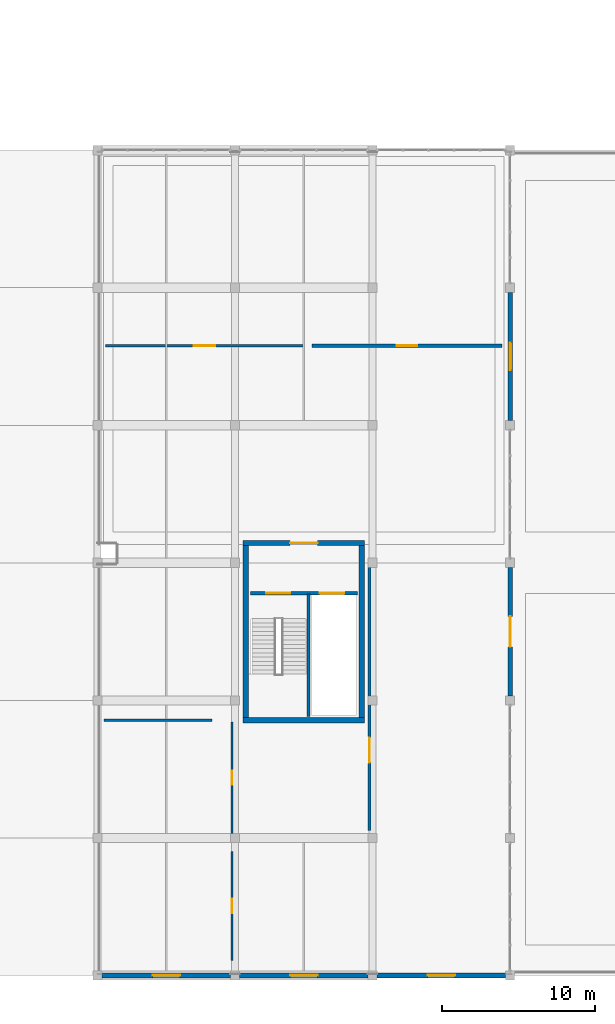
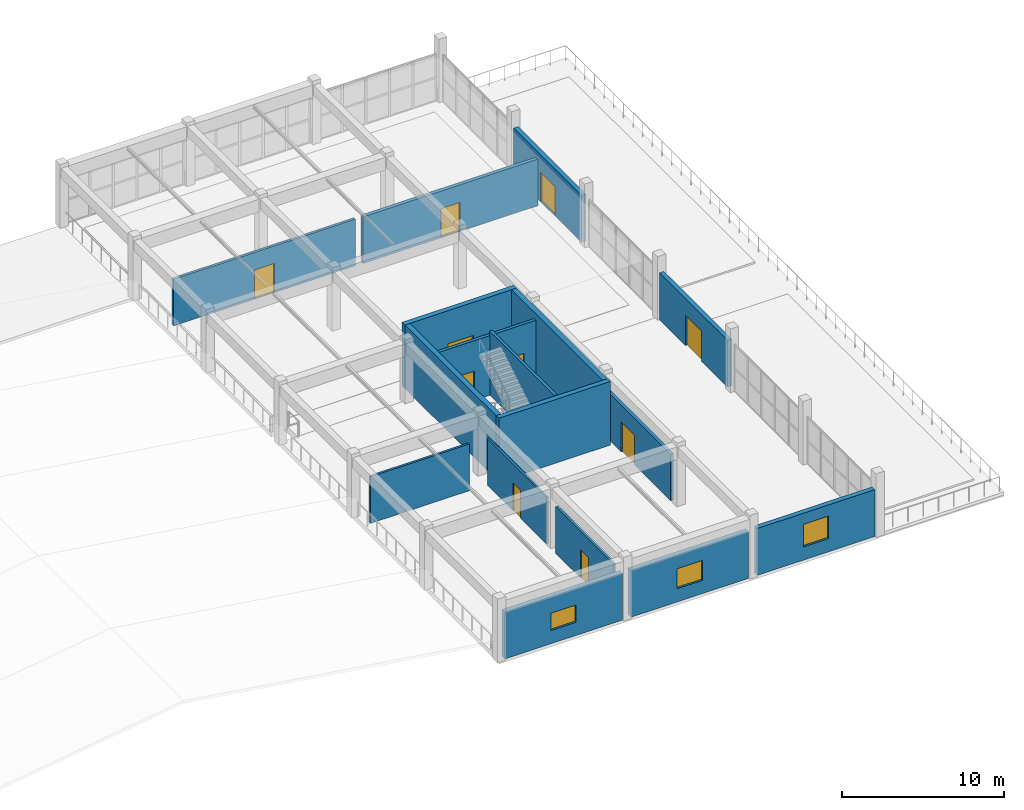
# One storey, part 64 of 89: 17 walls, 10 doors, 3 windows, 13 openings.
"""IFC4 building model written with IfcOpenShell, lengths in metres."""

from ifc_helpers import new_model, si_unit, direction, frame, frame_2d, origin, place, context, subcontext, project, spatial, rectangle, extrude, material, layer, layer_set, type_object, element, fill, save


model = new_model("IFC4")

# Units and contexts
model_context = context("Model", 3, precision=1e-05, world=origin(), true_north=direction((0.0, 1.0)))
body_context = subcontext(model_context, "Body", "Model", "MODEL_VIEW")
ifc_project = project(units=[si_unit("LENGTHUNIT", "METRE"), si_unit("AREAUNIT", "SQUARE_METRE"), si_unit("VOLUMEUNIT", "CUBIC_METRE"), si_unit("PLANEANGLEUNIT", "RADIAN"), si_unit("MASSUNIT", "GRAM", prefix="KILO")], contexts=[model_context])

# Site, building, storey
site_placement = place(None, origin())
site = spatial("IfcSite", under=ifc_project, at=site_placement, CompositionType="ELEMENT")
building_placement = place(site_placement, origin())
building = spatial("IfcBuilding", under=site, at=building_placement, Name="Dornveld Trade and Exhibition Forum", CompositionType="ELEMENT")
storey_placement = place(building_placement, frame((0.0, 0.0, 12.0)))
storey = spatial("IfcBuildingStorey", under=building, at=storey_placement, Name="L02", CompositionType="ELEMENT", Elevation=12.0)

# Wall
ifc_material_1 = material(Name="Concrete C40/50", Category="concrete")
ifc_layer_1 = layer(ifc_material_1, 0.35009765625)
ifc_layer_set_1 = layer_set([ifc_layer_1], Name="Concrete C40/50")
wall_type_1 = type_object("IfcWallType", Name="WL-CORE-350", PredefinedType="SHEAR", material=ifc_layer_set_1)
wall_1_placement = place(storey_placement, frame((207.52490234375, 16.699951171875, 0.0), z_axis=(0.0, 0.0, 1.0), x_axis=(1.0, 0.0, 0.0)))
element("IfcWall", 1, at=wall_1_placement, inside=storey, type_object=wall_type_1, Name="CORE-11 L02 shear wall S", PredefinedType="SHEAR", context=body_context, shape_type="SweptSolid", body=[
    extrude(rectangle(XDim=7.9501953125, YDim=0.35009765625, at=frame_2d((3.97509765625, 0.0))), origin(), (0.0, 0.0, 1.0), 4.800048828125),
])

# Wall, opening, door
wall_2_placement = place(storey_placement, frame((207.52490234375, 28.300048828125, 0.0), z_axis=(0.0, 0.0, 1.0), x_axis=(1.0, 0.0, 0.0)))
wall_2 = element("IfcWall", 2, at=wall_2_placement, inside=storey, type_object=wall_type_1, Name="CORE-11 L02 shear wall N", PredefinedType="SHEAR", context=body_context, shape_type="SweptSolid", body=[
    extrude(rectangle(XDim=7.9501953125, YDim=0.35009765625, at=frame_2d((3.97509765625, 0.0))), origin(), (0.0, 0.0, 1.0), 4.800048828125),
])
opening_1_placement = place(wall_2_placement, frame((3.074951171875, 0.0, 0.0)))
opening_1 = element("IfcOpeningElement", 3, at=opening_1_placement, cuts=wall_2, Name="Opening CD-11-L02", PredefinedType="OPENING", context=body_context, shape_type="SweptSolid", body=[
    extrude(rectangle(XDim=1.800048828125, YDim=2.300048828125, at=frame_2d((0.89990234375, 1.14990234375))), frame((0.0, 0.18505859375, 0.0), z_axis=(0.0, -1.0, 0.0), x_axis=(1.0, 0.0, 0.0)), (0.0, 0.0, 1.0), 0.3701171875),
])
ifc_material_2 = material(Name="Steel fire-rated double door assembly", Category="steel")
door_type_1 = type_object("IfcDoorType", Name="DR-CORE-180x230", OperationType="NOTDEFINED", PredefinedType="DOOR", material=ifc_material_2)
door_1_placement = place(opening_1_placement, origin())
door_1 = element("IfcDoor", 4, at=door_1_placement, inside=storey, type_object=door_type_1, Name="CORE-11 L02 core lobby double fire door", OperationType="DOUBLE_DOOR_SINGLE_SWING", OverallHeight=2.300048828125, OverallWidth=1.800048828125, PredefinedType="DOOR", context=body_context, shape_type="SweptSolid", body=[
    extrude(rectangle(XDim=1.800048828125, YDim=2.300048828125, at=frame_2d((0.89990234375, 1.14990234375))), frame((0.0, 0.02490234375, 0.0), z_axis=(0.0, -1.0, 0.0), x_axis=(1.0, 0.0, 0.0)), (0.0, 0.0, 1.0), 0.050048828125),
])
fill(opening_1, door_1)

# Walls
for number, where, z_axis, x_axis, name in (
    (5, (207.699951171875, 16.875, 0.0), (0.0, 0.0, 1.0), (0.0, 1.0, 0.0), "CORE-11 L02 shear wall W"),
    (6, (215.300048828125, 16.875, 0.0), (0.0, 0.0, 1.0), (0.0, 1.0, 0.0), "CORE-11 L02 shear wall E"),
):
    element("IfcWall", number, at=place(storey_placement, frame(where, z_axis=z_axis, x_axis=x_axis)), inside=storey, type_object=wall_type_1, Name=name, PredefinedType="SHEAR", context=body_context, shape_type="SweptSolid", body=[
        extrude(rectangle(XDim=11.25, YDim=0.35009765625, at=frame_2d((5.625, 0.0))), origin(), (0.0, 0.0, 1.0), 4.800048828125),
    ])

# Wall, opening, door
ifc_material_3 = material(Name="Precast concrete C50/60", Category="concrete")
ifc_layer_2 = layer(ifc_material_3, 0.31005859375)
ifc_layer_set_2 = layer_set([ifc_layer_2], Name="Precast concrete C50/60")
wall_type_2 = type_object("IfcWallType", Name="WL-EXT-PC310", PredefinedType="SOLIDWALL", material=ifc_layer_set_2)
wall_3_placement = place(storey_placement, frame((225.0, 18.299560546875, 0.0), z_axis=(0.0, 0.0, 1.0), x_axis=(0.0, 1.0, 0.0)))
wall_3 = element("IfcWall", 7, at=wall_3_placement, inside=storey, type_object=wall_type_2, Name="L02 precast facade wall 3", PredefinedType="SOLIDWALL", context=body_context, shape_type="SweptSolid", body=[
    extrude(rectangle(XDim=8.40087890625, YDim=0.31005859375, at=frame_2d((4.200439453125, 0.0))), origin(), (0.0, 0.0, 1.0), 3.5400390625),
])
opening_2_placement = place(wall_3_placement, frame((3.200439453125, 0.0, 0.0)))
opening_2 = element("IfcOpeningElement", 8, at=opening_2_placement, cuts=wall_3, Name="Opening TD-01", PredefinedType="OPENING", context=body_context, shape_type="SweptSolid", body=[
    extrude(rectangle(XDim=2.0, YDim=2.300048828125, at=frame_2d((1.0, 1.14990234375))), frame((0.0, 0.1650390625, 0.0), z_axis=(0.0, -1.0, 0.0), x_axis=(1.0, 0.0, 0.0)), (0.0, 0.0, 1.0), 0.330078125),
])
ifc_material_4 = material(Name="Dark-bronze anodised aluminium and laminated safety glass", Category="aluminium")
door_type_2 = type_object("IfcDoorType", Name="DR-TER-200x230", OperationType="NOTDEFINED", PredefinedType="DOOR", material=ifc_material_4)
door_2_placement = place(opening_2_placement, frame((2.0, 0.0, 0.0), z_axis=(0.0, 0.0, 1.0), x_axis=(-1.0, 0.0, 0.0)))
door_2 = element("IfcDoor", 9, at=door_2_placement, inside=storey, type_object=door_type_2, Name="L02 terrace access door 1", OperationType="SINGLE_SWING_LEFT", OverallHeight=2.300048828125, OverallWidth=2.0, PredefinedType="DOOR", context=body_context, shape_type="SweptSolid", body=[
    extrude(rectangle(XDim=2.0, YDim=2.300048828125, at=frame_2d((1.0, 1.14990234375))), frame((0.0, 0.02490234375, 0.0), z_axis=(0.0, -1.0, 0.0), x_axis=(1.0, 0.0, 0.0)), (0.0, 0.0, 1.0), 0.050048828125),
])
fill(opening_2, door_2)

wall_4_placement = place(storey_placement, frame((225.0, 36.299560546875, 0.0), z_axis=(0.0, 0.0, 1.0), x_axis=(0.0, 1.0, 0.0)))
wall_4 = element("IfcWall", 10, at=wall_4_placement, inside=storey, type_object=wall_type_2, Name="L02 precast facade wall 4", PredefinedType="SOLIDWALL", context=body_context, shape_type="SweptSolid", body=[
    extrude(rectangle(XDim=8.40087890625, YDim=0.31005859375, at=frame_2d((4.200439453125, 0.0))), origin(), (0.0, 0.0, 1.0), 3.5400390625),
])
opening_3_placement = place(wall_4_placement, frame((3.300537109375, 0.0, 0.0)))
opening_3 = element("IfcOpeningElement", 11, at=opening_3_placement, cuts=wall_4, Name="Opening TD-02", PredefinedType="OPENING", context=body_context, shape_type="SweptSolid", body=[
    extrude(rectangle(XDim=1.800048828125, YDim=2.199951171875, at=frame_2d((0.89990234375, 1.10009765625))), frame((0.0, 0.1650390625, 0.0), z_axis=(0.0, -1.0, 0.0), x_axis=(1.0, 0.0, 0.0)), (0.0, 0.0, 1.0), 0.330078125),
])
ifc_material_5 = material(Name="Dark-bronze anodised aluminium and laminated safety glass", Category="aluminium")
door_type_3 = type_object("IfcDoorType", Name="DR-TER-180x220", OperationType="NOTDEFINED", PredefinedType="DOOR", material=ifc_material_5)
door_3_placement = place(opening_3_placement, frame((1.800048828125, 0.0, 0.0), z_axis=(0.0, 0.0, 1.0), x_axis=(-1.0, 0.0, 0.0)))
door_3 = element("IfcDoor", 12, at=door_3_placement, inside=storey, type_object=door_type_3, Name="L02 terrace access door 2", OperationType="SINGLE_SWING_RIGHT", OverallHeight=2.199951171875, OverallWidth=1.800048828125, PredefinedType="DOOR", context=body_context, shape_type="SweptSolid", body=[
    extrude(rectangle(XDim=1.800048828125, YDim=2.199951171875, at=frame_2d((0.89990234375, 1.10009765625))), frame((0.0, 0.02490234375, 0.0), z_axis=(0.0, -1.0, 0.0), x_axis=(1.0, 0.0, 0.0)), (0.0, 0.0, 1.0), 0.050048828125),
])
fill(opening_3, door_3)

# Wall, opening, window
ifc_material_6 = material(Name="Precast concrete C50/60", Category="concrete")
ifc_layer_3 = layer(ifc_material_6, 0.340087890625)
ifc_layer_set_3 = layer_set([ifc_layer_3], Name="Precast concrete C50/60")
wall_type_3 = type_object("IfcWallType", Name="WL-EXT-PC340", PredefinedType="SOLIDWALL", material=ifc_layer_set_3)
wall_5_placement = place(storey_placement, frame((198.299560546875, 0.0, 0.0), z_axis=(0.0, 0.0, 1.0), x_axis=(1.0, 0.0, 0.0)))
wall_5 = element("IfcWall", 13, at=wall_5_placement, inside=storey, type_object=wall_type_3, Name="L02 precast facade wall 104", PredefinedType="SOLIDWALL", context=body_context, shape_type="SweptSolid", body=[
    extrude(rectangle(XDim=8.40087890625, YDim=0.340087890625, at=frame_2d((4.200439453125, 0.0))), origin(), (0.0, 0.0, 1.0), 3.5400390625),
])
opening_4_placement = place(wall_5_placement, frame((3.300537109375, 0.0, 1.0)))
opening_4 = element("IfcOpeningElement", 14, at=opening_4_placement, cuts=wall_5, Name="Opening W-16", PredefinedType="OPENING", context=body_context, shape_type="SweptSolid", body=[
    extrude(rectangle(XDim=1.800048828125, YDim=1.300048828125, at=frame_2d((0.89990234375, 0.64990234375))), frame((0.0, 0.179931640625, 0.0), z_axis=(0.0, -1.0, 0.0), x_axis=(1.0, 0.0, 0.0)), (0.0, 0.0, 1.0), 0.360107421875),
])
ifc_material_7 = material(Name="Dark-bronze anodised aluminium and low-E glass", Category="aluminium")
window_type_1 = type_object("IfcWindowType", Name="WIN-AL-16", PartitioningType="SINGLE_PANEL", PredefinedType="WINDOW", material=ifc_material_7)
window_1_placement = place(opening_4_placement, origin())
window_1 = element("IfcWindow", 15, at=window_1_placement, inside=storey, type_object=window_type_1, Name="L02 facade window 79", OverallHeight=1.300048828125, OverallWidth=1.800048828125, PartitioningType="SINGLE_PANEL", PredefinedType="WINDOW", context=body_context, shape_type="SweptSolid", body=[
    extrude(rectangle(XDim=1.800048828125, YDim=1.300048828125, at=frame_2d((0.89990234375, 0.64990234375))), frame((0.0, 0.030029296875, 0.0), z_axis=(0.0, -1.0, 0.0), x_axis=(1.0, 0.0, 0.0)), (0.0, 0.0, 1.0), 0.06005859375),
])
fill(opening_4, window_1)

wall_6_placement = place(storey_placement, frame((207.299560546875, 0.0, 0.0), z_axis=(0.0, 0.0, 1.0), x_axis=(1.0, 0.0, 0.0)))
wall_6 = element("IfcWall", 16, at=wall_6_placement, inside=storey, type_object=wall_type_3, Name="L02 precast facade wall 105", PredefinedType="SOLIDWALL", context=body_context, shape_type="SweptSolid", body=[
    extrude(rectangle(XDim=8.40087890625, YDim=0.340087890625, at=frame_2d((4.200439453125, 0.0))), origin(), (0.0, 0.0, 1.0), 3.5400390625),
])
opening_5_placement = place(wall_6_placement, frame((3.300537109375, 0.0, 1.0)))
opening_5 = element("IfcOpeningElement", 17, at=opening_5_placement, cuts=wall_6, Name="Opening W-17", PredefinedType="OPENING", context=body_context, shape_type="SweptSolid", body=[
    extrude(rectangle(XDim=1.800048828125, YDim=1.5, at=frame_2d((0.89990234375, 0.75))), frame((0.0, 0.179931640625, 0.0), z_axis=(0.0, -1.0, 0.0), x_axis=(1.0, 0.0, 0.0)), (0.0, 0.0, 1.0), 0.360107421875),
])
ifc_material_8 = material(Name="Dark-bronze anodised aluminium and low-E glass", Category="aluminium")
window_type_2 = type_object("IfcWindowType", Name="WIN-AL-17", PartitioningType="SINGLE_PANEL", PredefinedType="WINDOW", material=ifc_material_8)
window_2_placement = place(opening_5_placement, origin())
window_2 = element("IfcWindow", 18, at=window_2_placement, inside=storey, type_object=window_type_2, Name="L02 facade window 80", OverallHeight=1.5, OverallWidth=1.800048828125, PartitioningType="SINGLE_PANEL", PredefinedType="WINDOW", context=body_context, shape_type="SweptSolid", body=[
    extrude(rectangle(XDim=1.800048828125, YDim=1.5, at=frame_2d((0.89990234375, 0.75))), frame((0.0, 0.030029296875, 0.0), z_axis=(0.0, -1.0, 0.0), x_axis=(1.0, 0.0, 0.0)), (0.0, 0.0, 1.0), 0.06005859375),
])
fill(opening_5, window_2)

wall_7_placement = place(storey_placement, frame((216.299560546875, 0.0, 0.0), z_axis=(0.0, 0.0, 1.0), x_axis=(1.0, 0.0, 0.0)))
wall_7 = element("IfcWall", 19, at=wall_7_placement, inside=storey, type_object=wall_type_3, Name="L02 precast facade wall 106", PredefinedType="SOLIDWALL", context=body_context, shape_type="SweptSolid", body=[
    extrude(rectangle(XDim=8.40087890625, YDim=0.340087890625, at=frame_2d((4.200439453125, 0.0))), origin(), (0.0, 0.0, 1.0), 3.5400390625),
])
opening_6_placement = place(wall_7_placement, frame((3.300537109375, 0.0, 1.0)))
opening_6 = element("IfcOpeningElement", 20, at=opening_6_placement, cuts=wall_7, Name="Opening W-18", PredefinedType="OPENING", context=body_context, shape_type="SweptSolid", body=[
    extrude(rectangle(XDim=1.800048828125, YDim=1.699951171875, at=frame_2d((0.89990234375, 0.85009765625))), frame((0.0, 0.179931640625, 0.0), z_axis=(0.0, -1.0, 0.0), x_axis=(1.0, 0.0, 0.0)), (0.0, 0.0, 1.0), 0.360107421875),
])
ifc_material_9 = material(Name="Dark-bronze anodised aluminium and low-E glass", Category="aluminium")
window_type_3 = type_object("IfcWindowType", Name="WIN-AL-18", PartitioningType="SINGLE_PANEL", PredefinedType="WINDOW", material=ifc_material_9)
window_3_placement = place(opening_6_placement, origin())
window_3 = element("IfcWindow", 21, at=window_3_placement, inside=storey, type_object=window_type_3, Name="L02 facade window 81", OverallHeight=1.699951171875, OverallWidth=1.800048828125, PartitioningType="SINGLE_PANEL", PredefinedType="WINDOW", context=body_context, shape_type="SweptSolid", body=[
    extrude(rectangle(XDim=1.800048828125, YDim=1.699951171875, at=frame_2d((0.89990234375, 0.85009765625))), frame((0.0, 0.030029296875, 0.0), z_axis=(0.0, -1.0, 0.0), x_axis=(1.0, 0.0, 0.0)), (0.0, 0.0, 1.0), 0.06005859375),
])
fill(opening_6, window_3)

# Wall, opening, door
ifc_material_10 = material(Name="Acoustic twin-stud gypsum and mineral wool", Category="gypsum")
ifc_layer_4 = layer(ifc_material_10, 0.215087890625)
ifc_layer_set_4 = layer_set([ifc_layer_4], Name="Acoustic twin-stud gypsum and mineral wool")
wall_type_4 = type_object("IfcWallType", Name="WL-INT-AC215", PredefinedType="PARTITIONING", material=ifc_layer_set_4)
wall_8_placement = place(storey_placement, frame((215.800048828125, 9.47998046875, 0.0), z_axis=(0.0, 0.0, 1.0), x_axis=(0.0, 1.0, 0.0)))
wall_8 = element("IfcWall", 22, at=wall_8_placement, inside=storey, type_object=wall_type_4, Name="L02 interior partition 64", PredefinedType="PARTITIONING", context=body_context, shape_type="SweptSolid", body=[
    extrude(rectangle(XDim=17.5400390625, YDim=0.215087890625, at=frame_2d((8.77001953125, 0.0))), origin(), (0.0, 0.0, 1.0), 3.52001953125),
])
opening_7_placement = place(wall_8_placement, frame((4.43701171875, 0.0, 0.0)))
opening_7 = element("IfcOpeningElement", 23, at=opening_7_placement, cuts=wall_8, Name="Opening MRD-03-040", PredefinedType="OPENING", context=body_context, shape_type="SweptSolid", body=[
    extrude(rectangle(XDim=1.64990234375, YDim=2.25, at=frame_2d((0.824951171875, 1.125))), frame((0.0, 0.117431640625, 0.0), z_axis=(0.0, -1.0, 0.0), x_axis=(1.0, 0.0, 0.0)), (0.0, 0.0, 1.0), 0.235107421875),
])
ifc_material_11 = material(Name="Acoustic timber meeting-room double door", Category="wood")
door_type_4 = type_object("IfcDoorType", Name="DR-MEET-165x225", OperationType="NOTDEFINED", PredefinedType="DOOR", material=ifc_material_11)
door_4_placement = place(opening_7_placement, origin())
door_4 = element("IfcDoor", 24, at=door_4_placement, inside=storey, type_object=door_type_4, Name="L02 interior room door 40", OperationType="SINGLE_SWING_RIGHT", OverallHeight=2.25, OverallWidth=1.64990234375, PredefinedType="DOOR", context=body_context, shape_type="SweptSolid", body=[
    extrude(rectangle(XDim=1.64990234375, YDim=2.25, at=frame_2d((0.824951171875, 1.125))), frame((0.0, 0.02490234375, 0.0), z_axis=(0.0, -1.0, 0.0), x_axis=(1.0, 0.0, 0.0)), (0.0, 0.0, 1.0), 0.050048828125),
])
fill(opening_7, door_4)

ifc_material_12 = material(Name="Acoustic twin-stud gypsum and mineral wool", Category="gypsum")
ifc_layer_5 = layer(ifc_material_12, 0.25)
ifc_layer_set_5 = layer_set([ifc_layer_5], Name="Acoustic twin-stud gypsum and mineral wool")
wall_type_5 = type_object("IfcWallType", Name="WL-INT-AC250", PredefinedType="PARTITIONING", material=ifc_layer_set_5)
wall_9_placement = place(storey_placement, frame((212.02001953125, 41.199951171875, 0.0), z_axis=(0.0, 0.0, 1.0), x_axis=(1.0, 0.0, 0.0)))
wall_9 = element("IfcWall", 25, at=wall_9_placement, inside=storey, type_object=wall_type_5, Name="L02 interior partition 63", PredefinedType="PARTITIONING", context=body_context, shape_type="SweptSolid", body=[
    extrude(rectangle(XDim=12.4599609375, YDim=0.25, at=frame_2d((6.22998046875, 0.0))), origin(), (0.0, 0.0, 1.0), 3.52001953125),
])
opening_8_placement = place(wall_9_placement, frame((5.554931640625, 0.0, 0.0)))
opening_8 = element("IfcOpeningElement", 26, at=opening_8_placement, cuts=wall_9, Name="Opening MRD-06-039", PredefinedType="OPENING", context=body_context, shape_type="SweptSolid", body=[
    extrude(rectangle(XDim=1.35009765625, YDim=2.199951171875, at=frame_2d((0.675048828125, 1.10009765625))), frame((0.0, 0.135009765625, 0.0), z_axis=(0.0, -1.0, 0.0), x_axis=(1.0, 0.0, 0.0)), (0.0, 0.0, 1.0), 0.27001953125),
])
ifc_material_13 = material(Name="Acoustic timber meeting-room leaf-and-half door", Category="wood")
door_type_5 = type_object("IfcDoorType", Name="DR-MEET-135x220", OperationType="NOTDEFINED", PredefinedType="DOOR", material=ifc_material_13)
door_5_placement = place(opening_8_placement, origin())
door_5 = element("IfcDoor", 27, at=door_5_placement, inside=storey, type_object=door_type_5, Name="L02 interior room door 39", OperationType="SINGLE_SWING_LEFT", OverallHeight=2.199951171875, OverallWidth=1.35009765625, PredefinedType="DOOR", context=body_context, shape_type="SweptSolid", body=[
    extrude(rectangle(XDim=1.35009765625, YDim=2.199951171875, at=frame_2d((0.675048828125, 1.10009765625))), frame((0.0, 0.02490234375, 0.0), z_axis=(0.0, -1.0, 0.0), x_axis=(1.0, 0.0, 0.0)), (0.0, 0.0, 1.0), 0.050048828125),
])
fill(opening_8, door_5)

ifc_material_14 = material(Name="Fire-rated steel-stud gypsum board", Category="steel")
ifc_layer_6 = layer(ifc_material_14, 0.18505859375)
ifc_layer_set_6 = layer_set([ifc_layer_6], Name="Fire-rated steel-stud gypsum board")
wall_type_6 = type_object("IfcWallType", Name="WL-INT-FR185", PredefinedType="PARTITIONING", material=ifc_layer_set_6)
wall_10_placement = place(storey_placement, frame((198.52001953125, 41.199951171875, 0.0), z_axis=(0.0, 0.0, 1.0), x_axis=(1.0, 0.0, 0.0)))
wall_10 = element("IfcWall", 28, at=wall_10_placement, inside=storey, type_object=wall_type_6, Name="L02 interior partition 62", PredefinedType="PARTITIONING", context=body_context, shape_type="SweptSolid", body=[
    extrude(rectangle(XDim=12.9599609375, YDim=0.18505859375, at=frame_2d((6.47998046875, 0.0))), origin(), (0.0, 0.0, 1.0), 3.52001953125),
])
opening_9_placement = place(wall_10_placement, frame((5.780029296875, 0.0, 0.0)))
opening_9 = element("IfcOpeningElement", 29, at=opening_9_placement, cuts=wall_10, Name="Opening MRD-05-038", PredefinedType="OPENING", context=body_context, shape_type="SweptSolid", body=[
    extrude(rectangle(XDim=1.39990234375, YDim=2.199951171875, at=frame_2d((0.699951171875, 1.10009765625))), frame((0.0, 0.1025390625, 0.0), z_axis=(0.0, -1.0, 0.0), x_axis=(1.0, 0.0, 0.0)), (0.0, 0.0, 1.0), 0.205078125),
])
ifc_material_15 = material(Name="Acoustic timber meeting-room leaf-and-half door", Category="wood")
door_type_6 = type_object("IfcDoorType", Name="DR-MEET-140x220", OperationType="NOTDEFINED", PredefinedType="DOOR", material=ifc_material_15)
door_6_placement = place(opening_9_placement, origin())
door_6 = element("IfcDoor", 30, at=door_6_placement, inside=storey, type_object=door_type_6, Name="L02 interior room door 38", OperationType="SINGLE_SWING_RIGHT", OverallHeight=2.199951171875, OverallWidth=1.39990234375, PredefinedType="DOOR", context=body_context, shape_type="SweptSolid", body=[
    extrude(rectangle(XDim=1.39990234375, YDim=2.199951171875, at=frame_2d((0.699951171875, 1.10009765625))), frame((0.0, 0.02490234375, 0.0), z_axis=(0.0, -1.0, 0.0), x_axis=(1.0, 0.0, 0.0)), (0.0, 0.0, 1.0), 0.050048828125),
])
fill(opening_9, door_6)

# Wall, openings, doors
ifc_material_16 = material(Name="Concrete C40/50", Category="concrete")
ifc_layer_7 = layer(ifc_material_16, 0.219970703125)
ifc_layer_set_7 = layer_set([ifc_layer_7], Name="Concrete C40/50")
wall_type_7 = type_object("IfcWallType", Name="WL-INT-LOB220", PredefinedType="SOLIDWALL", material=ifc_layer_set_7)
wall_11_placement = place(storey_placement, frame((208.0, 25.0, 0.0), z_axis=(0.0, 0.0, 1.0), x_axis=(1.0, 0.0, 0.0)))
wall_11 = element("IfcWall", 31, at=wall_11_placement, inside=storey, type_object=wall_type_7, Name="CORE-11 L02 protected lobby bulkhead wall", PredefinedType="SOLIDWALL", context=body_context, shape_type="SweptSolid", body=[
    extrude(rectangle(XDim=7.0, YDim=0.219970703125, at=frame_2d((3.5, 0.0))), origin(), (0.0, 0.0, 1.0), 4.5),
])
opening_10_placement = place(wall_11_placement, frame((1.050048828125, 0.0, 0.0)))
opening_10 = element("IfcOpeningElement", 32, at=opening_10_placement, cuts=wall_11, Name="Opening SD-11-L02", PredefinedType="OPENING", context=body_context, shape_type="SweptSolid", body=[
    extrude(rectangle(XDim=1.550048828125, YDim=2.199951171875, at=frame_2d((0.77490234375, 1.10009765625))), frame((0.0, 0.119873046875, 0.0), z_axis=(0.0, -1.0, 0.0), x_axis=(1.0, 0.0, 0.0)), (0.0, 0.0, 1.0), 0.239990234375),
])
opening_11_placement = place(wall_11_placement, frame((4.550048828125, 0.0, 0.0)))
opening_11 = element("IfcOpeningElement", 33, at=opening_11_placement, cuts=wall_11, Name="Opening LD-11-L02", PredefinedType="OPENING", context=body_context, shape_type="SweptSolid", body=[
    extrude(rectangle(XDim=1.60009765625, YDim=2.300048828125, at=frame_2d((0.800048828125, 1.14990234375))), frame((0.0, 0.119873046875, 0.0), z_axis=(0.0, -1.0, 0.0), x_axis=(1.0, 0.0, 0.0)), (0.0, 0.0, 1.0), 0.239990234375),
])
ifc_material_17 = material(Name="Heavy-duty steel sliding freight lift landing door", Category="steel")
door_type_7 = type_object("IfcDoorType", Name="DR-LIFT-160x230", OperationType="NOTDEFINED", PredefinedType="DOOR", material=ifc_material_17)
door_7_placement = place(opening_11_placement, origin())
door_7 = element("IfcDoor", 34, at=door_7_placement, inside=storey, type_object=door_type_7, Name="CORE-11 L02 lift sliding landing door", OperationType="SLIDING_TO_LEFT", OverallHeight=2.300048828125, OverallWidth=1.60009765625, PredefinedType="DOOR", context=body_context, shape_type="SweptSolid", body=[
    extrude(rectangle(XDim=1.60009765625, YDim=2.300048828125, at=frame_2d((0.800048828125, 1.14990234375))), frame((0.0, 0.02490234375, 0.0), z_axis=(0.0, -1.0, 0.0), x_axis=(1.0, 0.0, 0.0)), (0.0, 0.0, 1.0), 0.050048828125),
])
fill(opening_11, door_7)
ifc_material_18 = material(Name="Steel fire-rated stair door assembly", Category="steel")
door_type_8 = type_object("IfcDoorType", Name="DR-STAIR-155x220", OperationType="NOTDEFINED", PredefinedType="DOOR", material=ifc_material_18)
door_8_placement = place(opening_10_placement, origin())
door_8 = element("IfcDoor", 35, at=door_8_placement, inside=storey, type_object=door_type_8, Name="CORE-11 L02 protected stair door", OperationType="SINGLE_SWING_LEFT", OverallHeight=2.199951171875, OverallWidth=1.550048828125, PredefinedType="DOOR", context=body_context, shape_type="SweptSolid", body=[
    extrude(rectangle(XDim=1.550048828125, YDim=2.199951171875, at=frame_2d((0.77490234375, 1.10009765625))), frame((0.0, 0.02490234375, 0.0), z_axis=(0.0, -1.0, 0.0), x_axis=(1.0, 0.0, 0.0)), (0.0, 0.0, 1.0), 0.050048828125),
])
fill(opening_10, door_8)

# Wall
ifc_material_19 = material(Name="Concrete C40/50", Category="concrete")
ifc_layer_8 = layer(ifc_material_19, 0.199951171875)
ifc_layer_set_8 = layer_set([ifc_layer_8], Name="Concrete C40/50")
wall_type_8 = type_object("IfcWallType", Name="WL-INT-SHAFT200", PredefinedType="SOLIDWALL", material=ifc_layer_set_8)
wall_12_placement = place(storey_placement, frame((211.820068359375, 16.949951171875, 0.0), z_axis=(0.0, 0.0, 1.0), x_axis=(0.0, 1.0, 0.0)))
element("IfcWall", 36, at=wall_12_placement, inside=storey, type_object=wall_type_8, Name="CORE-11 L02 lift-stair structural shaft wall", PredefinedType="SOLIDWALL", context=body_context, shape_type="SweptSolid", body=[
    extrude(rectangle(XDim=8.0, YDim=0.199951171875, at=frame_2d((4.0, 0.0))), origin(), (0.0, 0.0, 1.0), 4.800048828125),
])

# Wall, opening, door
ifc_material_20 = material(Name="Steel-stud gypsum partition", Category="steel")
ifc_layer_9 = layer(ifc_material_20, 0.14501953125)
ifc_layer_set_9 = layer_set([ifc_layer_9], Name="Steel-stud gypsum partition")
wall_type_9 = type_object("IfcWallType", Name="WL-INT-ST145", PredefinedType="PARTITIONING", material=ifc_layer_set_9)
wall_13_placement = place(storey_placement, frame((206.800048828125, 9.280029296875, 0.0), z_axis=(0.0, 0.0, 1.0), x_axis=(0.0, 1.0, 0.0)))
wall_13 = element("IfcWall", 37, at=wall_13_placement, inside=storey, type_object=wall_type_9, Name="L02 interior partition 68", PredefinedType="PARTITIONING", context=body_context, shape_type="SweptSolid", body=[
    extrude(rectangle(XDim=7.300048828125, YDim=0.14501953125, at=frame_2d((3.64990234375, 0.0))), origin(), (0.0, 0.0, 1.0), 3.52001953125),
])
opening_12_placement = place(wall_13_placement, frame((3.18994140625, 0.0, 0.0)))
opening_12 = element("IfcOpeningElement", 38, at=opening_12_placement, cuts=wall_13, Name="Opening WD-03-044", PredefinedType="OPENING", context=body_context, shape_type="SweptSolid", body=[
    extrude(rectangle(XDim=0.919921875, YDim=2.1201171875, at=frame_2d((0.4599609375, 1.06005859375))), frame((0.0, 0.08251953125, 0.0), z_axis=(0.0, -1.0, 0.0), x_axis=(1.0, 0.0, 0.0)), (0.0, 0.0, 1.0), 0.1650390625),
])
ifc_material_21 = material(Name="Laminate sanitary lobby door", Category="wood")
door_type_9 = type_object("IfcDoorType", Name="DR-WC-092x212", OperationType="NOTDEFINED", PredefinedType="DOOR", material=ifc_material_21)
door_9_placement = place(opening_12_placement, origin())
door_9 = element("IfcDoor", 39, at=door_9_placement, inside=storey, type_object=door_type_9, Name="L02 interior room door 44", OperationType="SINGLE_SWING_RIGHT", OverallHeight=2.1201171875, OverallWidth=0.919921875, PredefinedType="DOOR", context=body_context, shape_type="SweptSolid", body=[
    extrude(rectangle(XDim=0.919921875, YDim=2.1201171875, at=frame_2d((0.4599609375, 1.06005859375))), frame((0.0, 0.02490234375, 0.0), z_axis=(0.0, -1.0, 0.0), x_axis=(1.0, 0.0, 0.0)), (0.0, 0.0, 1.0), 0.050048828125),
])
fill(opening_12, door_9)

# Wall
ifc_material_22 = material(Name="Steel-stud gypsum partition", Category="steel")
ifc_layer_10 = layer(ifc_material_22, 0.155029296875)
ifc_layer_set_10 = layer_set([ifc_layer_10], Name="Steel-stud gypsum partition")
wall_type_10 = type_object("IfcWallType", Name="WL-INT-ST155", PredefinedType="PARTITIONING", material=ifc_layer_set_10)
wall_14_placement = place(storey_placement, frame((198.419921875, 16.699951171875, 0.0), z_axis=(0.0, 0.0, 1.0), x_axis=(1.0, 0.0, 0.0)))
element("IfcWall", 40, at=wall_14_placement, inside=storey, type_object=wall_type_10, Name="L02 interior partition 7", PredefinedType="PARTITIONING", context=body_context, shape_type="SweptSolid", body=[
    extrude(rectangle(XDim=7.06005859375, YDim=0.155029296875, at=frame_2d((3.530029296875, 0.0))), origin(), (0.0, 0.0, 1.0), 3.52001953125),
])

# Wall, opening, door
wall_15_placement = place(storey_placement, frame((206.800048828125, 0.97998046875, 0.0), z_axis=(0.0, 0.0, 1.0), x_axis=(0.0, 1.0, 0.0)))
wall_15 = element("IfcWall", 41, at=wall_15_placement, inside=storey, type_object=wall_type_10, Name="L02 interior partition 67", PredefinedType="PARTITIONING", context=body_context, shape_type="SweptSolid", body=[
    extrude(rectangle(XDim=7.14013671875, YDim=0.155029296875, at=frame_2d((3.570068359375, 0.0))), origin(), (0.0, 0.0, 1.0), 3.52001953125),
])
opening_13_placement = place(wall_15_placement, frame((3.090087890625, 0.0, 0.0)))
opening_13 = element("IfcOpeningElement", 42, at=opening_13_placement, cuts=wall_15, Name="Opening WD-02-043", PredefinedType="OPENING", context=body_context, shape_type="SweptSolid", body=[
    extrude(rectangle(XDim=0.9599609375, YDim=2.1201171875, at=frame_2d((0.47998046875, 1.06005859375))), frame((0.0, 0.08740234375, 0.0), z_axis=(0.0, -1.0, 0.0), x_axis=(1.0, 0.0, 0.0)), (0.0, 0.0, 1.0), 0.175048828125),
])
ifc_material_23 = material(Name="Laminate sanitary lobby door", Category="wood")
door_type_10 = type_object("IfcDoorType", Name="DR-WC-096x212", OperationType="NOTDEFINED", PredefinedType="DOOR", material=ifc_material_23)
door_10_placement = place(opening_13_placement, origin())
door_10 = element("IfcDoor", 43, at=door_10_placement, inside=storey, type_object=door_type_10, Name="L02 interior room door 43", OperationType="SINGLE_SWING_LEFT", OverallHeight=2.1201171875, OverallWidth=0.9599609375, PredefinedType="DOOR", context=body_context, shape_type="SweptSolid", body=[
    extrude(rectangle(XDim=0.9599609375, YDim=2.1201171875, at=frame_2d((0.47998046875, 1.06005859375))), frame((0.0, 0.02490234375, 0.0), z_axis=(0.0, -1.0, 0.0), x_axis=(1.0, 0.0, 0.0)), (0.0, 0.0, 1.0), 0.050048828125),
])
fill(opening_13, door_10)

save(model, "model.ifc")
